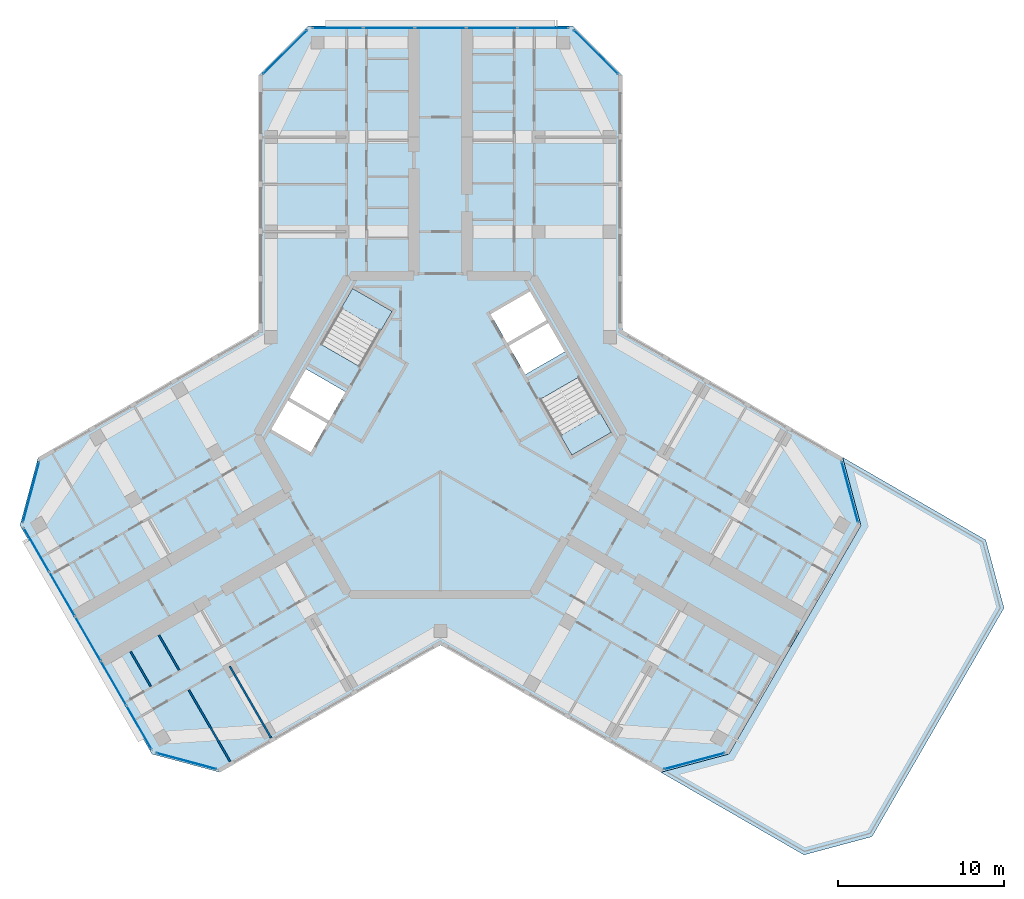
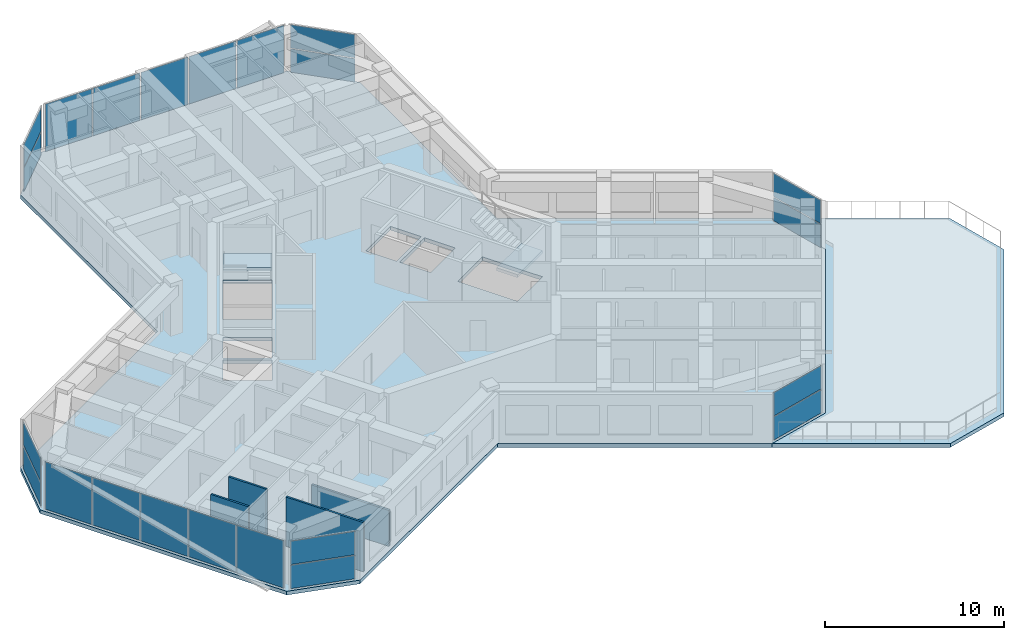
# One storey, part 6 of 14: 22 plates, 4 slabs, 4 walls, 10 elements without a shape of their own.
"""IFC4 building model written with IfcOpenShell, lengths in metres."""

from ifc_helpers import new_model, si_unit, direction, frame, frame_2d, origin, origin_2d, place, context, subcontext, project, spatial, polyline, rectangle, outline, extrude, material, layer, layer_set, type_object, element, aggregate, save


model = new_model("IFC4")

# Units and contexts
model_context = context("Model", 3, precision=1e-05, world=origin(), true_north=direction((0.0, 1.0)))
body_context = subcontext(model_context, "Body", "Model", "MODEL_VIEW")
ifc_project = project(units=[si_unit("LENGTHUNIT", "METRE"), si_unit("AREAUNIT", "SQUARE_METRE"), si_unit("VOLUMEUNIT", "CUBIC_METRE"), si_unit("PLANEANGLEUNIT", "RADIAN"), si_unit("MASSUNIT", "GRAM", prefix="KILO")], contexts=[model_context])

# Site, building, storey
site_placement = place(None, origin())
site = spatial("IfcSite", under=ifc_project, at=site_placement, CompositionType="ELEMENT")
building_placement = place(site_placement, origin())
building = spatial("IfcBuilding", under=site, at=building_placement, Name="Kosmar Iwan School Tower", CompositionType="ELEMENT")
storey_placement = place(building_placement, frame((0.0, 0.0, 267.39990234375)))
storey = spatial("IfcBuildingStorey", under=building, at=storey_placement, Name="L67", CompositionType="ELEMENT", Elevation=267.39990234375)

# Curtain wall, plates
ifc_material_1 = material(Name="Dark glass in black aluminium frame", Category="aluminium")
curtain_wall_type_1 = type_object("IfcCurtainWallType", Name="Chamfer curtain wall dark glass", PredefinedType="USERDEFINED", material=ifc_material_1)
curtain_wall_1_placement = place(storey_placement, origin())
curtain_wall_1 = element("IfcCurtainWall", 1, at=curtain_wall_1_placement, inside=storey, type_object=curtain_wall_type_1, Name="Curtain wall L67-F02", ObjectType="FACETED CURTAIN WALL", PredefinedType="USERDEFINED")
ifc_material_2 = material(Name="Dark glass", Category="glass")
ifc_layer_1 = layer(ifc_material_2, 0.028076171875)
ifc_layer_set_1 = layer_set([ifc_layer_1], Name="Dark glass panel 28")
plate_type = type_object("IfcPlateType", Name="Dark glass panel 28", PredefinedType="CURTAIN_PANEL", material=ifc_layer_set_1)
plate_1_placement = place(storey_placement, frame((15.291015625, -19.63818359375, 0.06005859375), z_axis=(0.0, 0.0, 1.0), x_axis=(0.965925875495, 0.258818861462, 0.0)))
plate_1 = element("IfcPlate", 2, at=plate_1_placement, type_object=plate_type, Name="CW2 panel 1.1", PredefinedType="CURTAIN_PANEL", context=body_context, shape_type="SweptSolid", body=[
    extrude(rectangle(XDim=3.718994140625, YDim=0.028076171875, at=origin_2d()), origin(), (0.0, 0.0, 1.0), 1.5849609375),
])
plate_2_placement = place(storey_placement, frame((15.291015625, -19.63818359375, 1.705078125), z_axis=(0.0, 0.0, 1.0), x_axis=(0.965925875495, 0.258818861462, 0.0)))
plate_2 = element("IfcPlate", 3, at=plate_2_placement, type_object=plate_type, Name="CW2 panel 1.2", PredefinedType="CURTAIN_PANEL", context=body_context, shape_type="SweptSolid", body=[
    extrude(rectangle(XDim=3.718994140625, YDim=0.028076171875, at=origin_2d()), origin(), (0.0, 0.0, 1.0), 1.5849609375),
])
aggregate(curtain_wall_1, [plate_1, plate_2])

curtain_wall_2_placement = place(storey_placement, origin())
curtain_wall_2 = element("IfcCurtainWall", 4, at=curtain_wall_2_placement, inside=storey, type_object=curtain_wall_type_1, Name="Curtain wall L67-F04", ObjectType="FACETED CURTAIN WALL", PredefinedType="USERDEFINED")
plate_3_placement = place(storey_placement, frame((24.65283203125, -3.42333984375, 0.06005859375), z_axis=(0.0, 0.0, 1.0), x_axis=(-0.258818861462, 0.965925875495, 0.0)))
plate_3 = element("IfcPlate", 5, at=plate_3_placement, type_object=plate_type, Name="CW2 panel 1.1", PredefinedType="CURTAIN_PANEL", context=body_context, shape_type="SweptSolid", body=[
    extrude(rectangle(XDim=3.718994140625, YDim=0.028076171875, at=origin_2d()), origin(), (0.0, 0.0, 1.0), 1.5849609375),
])
plate_4_placement = place(storey_placement, frame((24.65283203125, -3.42333984375, 1.705078125), z_axis=(0.0, 0.0, 1.0), x_axis=(-0.258818861462, 0.965925875495, 0.0)))
plate_4 = element("IfcPlate", 6, at=plate_4_placement, type_object=plate_type, Name="CW2 panel 1.2", PredefinedType="CURTAIN_PANEL", context=body_context, shape_type="SweptSolid", body=[
    extrude(rectangle(XDim=3.718994140625, YDim=0.028076171875, at=origin_2d()), origin(), (0.0, 0.0, 1.0), 1.5849609375),
])
aggregate(curtain_wall_2, [plate_3, plate_4])

curtain_wall_3_placement = place(storey_placement, origin())
curtain_wall_3 = element("IfcCurtainWall", 7, at=curtain_wall_3_placement, inside=storey, type_object=curtain_wall_type_1, Name="Curtain wall L67-F07", ObjectType="FACETED CURTAIN WALL", PredefinedType="USERDEFINED")
plate_5_placement = place(storey_placement, frame((9.361572265625, 23.0615234375, 0.06005859375), z_axis=(0.0, 0.0, 1.0), x_axis=(-0.707106781187, 0.707106781187, 0.0)))
plate_5 = element("IfcPlate", 8, at=plate_5_placement, type_object=plate_type, Name="CW2 panel 1.1", PredefinedType="CURTAIN_PANEL", context=body_context, shape_type="SweptSolid", body=[
    extrude(rectangle(XDim=3.718994140625, YDim=0.028076171875, at=origin_2d()), origin(), (0.0, 0.0, 1.0), 1.5849609375),
])
plate_6_placement = place(storey_placement, frame((9.361572265625, 23.0615234375, 1.705078125), z_axis=(0.0, 0.0, 1.0), x_axis=(-0.707106781187, 0.707106781187, 0.0)))
plate_6 = element("IfcPlate", 9, at=plate_6_placement, type_object=plate_type, Name="CW2 panel 1.2", PredefinedType="CURTAIN_PANEL", context=body_context, shape_type="SweptSolid", body=[
    extrude(rectangle(XDim=3.718994140625, YDim=0.028076171875, at=origin_2d()), origin(), (0.0, 0.0, 1.0), 1.5849609375),
])
aggregate(curtain_wall_3, [plate_5, plate_6])

ifc_material_3 = material(Name="Dark glass in black aluminium frame", Category="aluminium")
curtain_wall_type_2 = type_object("IfcCurtainWallType", Name="Tower curtain wall dark glass", PredefinedType="USERDEFINED", material=ifc_material_3)
curtain_wall_4_placement = place(storey_placement, origin())
curtain_wall_4 = element("IfcCurtainWall", 10, at=curtain_wall_4_placement, inside=storey, type_object=curtain_wall_type_2, Name="Curtain wall L67-F08", ObjectType="UNITISED CURTAIN WALL", PredefinedType="USERDEFINED")
plate_7_placement = place(storey_placement, frame((6.18359375, 24.52490234375, 0.06005859375), z_axis=(0.0, 0.0, 1.0), x_axis=(-1.0, 0.0, 0.0)))
plate_7 = element("IfcPlate", 11, at=plate_7_placement, type_object=plate_type, Name="CW1 panel 1.1", PredefinedType="CURTAIN_PANEL", context=body_context, shape_type="SweptSolid", body=[
    extrude(rectangle(XDim=3.00927734375, YDim=0.028076171875, at=origin_2d()), origin(), (0.0, 0.0, 1.0), 3.22998046875),
])
plate_8_placement = place(storey_placement, frame((3.099365234375, 24.52490234375, 0.06005859375), z_axis=(0.0, 0.0, 1.0), x_axis=(-1.0, 0.0, 0.0)))
plate_8 = element("IfcPlate", 12, at=plate_8_placement, type_object=plate_type, Name="CW1 panel 2.1", PredefinedType="CURTAIN_PANEL", context=body_context, shape_type="SweptSolid", body=[
    extrude(rectangle(XDim=3.039306640625, YDim=0.028076171875, at=origin_2d()), origin(), (0.0, 0.0, 1.0), 3.22998046875),
])
plate_9_placement = place(storey_placement, frame((0.0, 24.52490234375, 0.06005859375), z_axis=(0.0, 0.0, 1.0), x_axis=(-1.0, 0.0, 0.0)))
plate_9 = element("IfcPlate", 13, at=plate_9_placement, type_object=plate_type, Name="CW1 panel 3.1", PredefinedType="CURTAIN_PANEL", context=body_context, shape_type="SweptSolid", body=[
    extrude(rectangle(XDim=3.039306640625, YDim=0.028076171875, at=origin_2d()), origin(), (0.0, 0.0, 1.0), 3.22998046875),
])
plate_10_placement = place(storey_placement, frame((-3.099365234375, 24.52490234375, 0.06005859375), z_axis=(0.0, 0.0, 1.0), x_axis=(-1.0, 0.0, 0.0)))
plate_10 = element("IfcPlate", 14, at=plate_10_placement, type_object=plate_type, Name="CW1 panel 4.1", PredefinedType="CURTAIN_PANEL", context=body_context, shape_type="SweptSolid", body=[
    extrude(rectangle(XDim=3.039306640625, YDim=0.028076171875, at=origin_2d()), origin(), (0.0, 0.0, 1.0), 3.22998046875),
])
plate_11_placement = place(storey_placement, frame((-6.18359375, 24.52490234375, 0.06005859375), z_axis=(0.0, 0.0, 1.0), x_axis=(-1.0, 0.0, 0.0)))
plate_11 = element("IfcPlate", 15, at=plate_11_placement, type_object=plate_type, Name="CW1 panel 5.1", PredefinedType="CURTAIN_PANEL", context=body_context, shape_type="SweptSolid", body=[
    extrude(rectangle(XDim=3.00927734375, YDim=0.028076171875, at=origin_2d()), origin(), (0.0, 0.0, 1.0), 3.22998046875),
])
aggregate(curtain_wall_4, [plate_7, plate_8, plate_9, plate_10, plate_11])

curtain_wall_5_placement = place(storey_placement, origin())
curtain_wall_5 = element("IfcCurtainWall", 16, at=curtain_wall_5_placement, inside=storey, type_object=curtain_wall_type_1, Name="Curtain wall L67-F09", ObjectType="FACETED CURTAIN WALL", PredefinedType="USERDEFINED")
plate_12_placement = place(storey_placement, frame((-9.361572265625, 23.0615234375, 0.06005859375), z_axis=(0.0, 0.0, 1.0), x_axis=(-0.707106781187, -0.707106781187, 0.0)))
plate_12 = element("IfcPlate", 17, at=plate_12_placement, type_object=plate_type, Name="CW2 panel 1.1", PredefinedType="CURTAIN_PANEL", context=body_context, shape_type="SweptSolid", body=[
    extrude(rectangle(XDim=3.718994140625, YDim=0.028076171875, at=origin_2d()), origin(), (0.0, 0.0, 1.0), 1.5849609375),
])
plate_13_placement = place(storey_placement, frame((-9.361572265625, 23.0615234375, 1.705078125), z_axis=(0.0, 0.0, 1.0), x_axis=(-0.707106781187, -0.707106781187, 0.0)))
plate_13 = element("IfcPlate", 18, at=plate_13_placement, type_object=plate_type, Name="CW2 panel 1.2", PredefinedType="CURTAIN_PANEL", context=body_context, shape_type="SweptSolid", body=[
    extrude(rectangle(XDim=3.718994140625, YDim=0.028076171875, at=origin_2d()), origin(), (0.0, 0.0, 1.0), 1.5849609375),
])
aggregate(curtain_wall_5, [plate_12, plate_13])

curtain_wall_6_placement = place(storey_placement, origin())
curtain_wall_6 = element("IfcCurtainWall", 19, at=curtain_wall_6_placement, inside=storey, type_object=curtain_wall_type_1, Name="Curtain wall L67-F12", ObjectType="FACETED CURTAIN WALL", PredefinedType="USERDEFINED")
plate_14_placement = place(storey_placement, frame((-24.65283203125, -3.42333984375, 0.06005859375), z_axis=(0.0, 0.0, 1.0), x_axis=(-0.258818861462, -0.965925875495, 0.0)))
plate_14 = element("IfcPlate", 20, at=plate_14_placement, type_object=plate_type, Name="CW2 panel 1.1", PredefinedType="CURTAIN_PANEL", context=body_context, shape_type="SweptSolid", body=[
    extrude(rectangle(XDim=3.718994140625, YDim=0.028076171875, at=origin_2d()), origin(), (0.0, 0.0, 1.0), 1.5849609375),
])
plate_15_placement = place(storey_placement, frame((-24.65283203125, -3.42333984375, 1.705078125), z_axis=(0.0, 0.0, 1.0), x_axis=(-0.258818861462, -0.965925875495, 0.0)))
plate_15 = element("IfcPlate", 21, at=plate_15_placement, type_object=plate_type, Name="CW2 panel 1.2", PredefinedType="CURTAIN_PANEL", context=body_context, shape_type="SweptSolid", body=[
    extrude(rectangle(XDim=3.718994140625, YDim=0.028076171875, at=origin_2d()), origin(), (0.0, 0.0, 1.0), 1.5849609375),
])
aggregate(curtain_wall_6, [plate_14, plate_15])

curtain_wall_7_placement = place(storey_placement, origin())
curtain_wall_7 = element("IfcCurtainWall", 22, at=curtain_wall_7_placement, inside=storey, type_object=curtain_wall_type_2, Name="Curtain wall L67-F13", ObjectType="UNITISED CURTAIN WALL", PredefinedType="USERDEFINED")
plate_16_placement = place(storey_placement, frame((-24.3310546875, -6.907470703125, 0.06005859375), z_axis=(0.0, 0.0, 1.0), x_axis=(0.499999997325, -0.866025405329, 0.0)))
plate_16 = element("IfcPlate", 23, at=plate_16_placement, type_object=plate_type, Name="CW1 panel 1.1", PredefinedType="CURTAIN_PANEL", context=body_context, shape_type="SweptSolid", body=[
    extrude(rectangle(XDim=3.00927734375, YDim=0.028076171875, at=origin_2d()), origin(), (0.0, 0.0, 1.0), 3.22998046875),
])
plate_17_placement = place(storey_placement, frame((-22.788818359375, -9.578369140625, 0.06005859375), z_axis=(0.0, 0.0, 1.0), x_axis=(0.499999997325, -0.866025405329, 0.0)))
plate_17 = element("IfcPlate", 24, at=plate_17_placement, type_object=plate_type, Name="CW1 panel 2.1", PredefinedType="CURTAIN_PANEL", context=body_context, shape_type="SweptSolid", body=[
    extrude(rectangle(XDim=3.039306640625, YDim=0.028076171875, at=origin_2d()), origin(), (0.0, 0.0, 1.0), 3.22998046875),
])
plate_18_placement = place(storey_placement, frame((-21.2392578125, -12.262451171875, 0.06005859375), z_axis=(0.0, 0.0, 1.0), x_axis=(0.499999997325, -0.866025405329, 0.0)))
plate_18 = element("IfcPlate", 25, at=plate_18_placement, type_object=plate_type, Name="CW1 panel 3.1", PredefinedType="CURTAIN_PANEL", context=body_context, shape_type="SweptSolid", body=[
    extrude(rectangle(XDim=3.039306640625, YDim=0.028076171875, at=origin_2d()), origin(), (0.0, 0.0, 1.0), 3.22998046875),
])
plate_19_placement = place(storey_placement, frame((-19.689697265625, -14.946533203125, 0.06005859375), z_axis=(0.0, 0.0, 1.0), x_axis=(0.499999997325, -0.866025405329, 0.0)))
plate_19 = element("IfcPlate", 26, at=plate_19_placement, type_object=plate_type, Name="CW1 panel 4.1", PredefinedType="CURTAIN_PANEL", context=body_context, shape_type="SweptSolid", body=[
    extrude(rectangle(XDim=3.039306640625, YDim=0.028076171875, at=origin_2d()), origin(), (0.0, 0.0, 1.0), 3.22998046875),
])
plate_20_placement = place(storey_placement, frame((-18.1474609375, -17.61767578125, 0.06005859375), z_axis=(0.0, 0.0, 1.0), x_axis=(0.499999997325, -0.866025405329, 0.0)))
plate_20 = element("IfcPlate", 27, at=plate_20_placement, type_object=plate_type, Name="CW1 panel 5.1", PredefinedType="CURTAIN_PANEL", context=body_context, shape_type="SweptSolid", body=[
    extrude(rectangle(XDim=3.00927734375, YDim=0.028076171875, at=origin_2d()), origin(), (0.0, 0.0, 1.0), 3.22998046875),
])
aggregate(curtain_wall_7, [plate_16, plate_17, plate_18, plate_19, plate_20])

curtain_wall_8_placement = place(storey_placement, origin())
curtain_wall_8 = element("IfcCurtainWall", 28, at=curtain_wall_8_placement, inside=storey, type_object=curtain_wall_type_1, Name="Curtain wall L67-F14", ObjectType="FACETED CURTAIN WALL", PredefinedType="USERDEFINED")
plate_21_placement = place(storey_placement, frame((-15.291015625, -19.63818359375, 0.06005859375), z_axis=(0.0, 0.0, 1.0), x_axis=(0.965925875495, -0.258818861462, 0.0)))
plate_21 = element("IfcPlate", 29, at=plate_21_placement, type_object=plate_type, Name="CW2 panel 1.1", PredefinedType="CURTAIN_PANEL", context=body_context, shape_type="SweptSolid", body=[
    extrude(rectangle(XDim=3.718994140625, YDim=0.028076171875, at=origin_2d()), origin(), (0.0, 0.0, 1.0), 1.5849609375),
])
plate_22_placement = place(storey_placement, frame((-15.291015625, -19.63818359375, 1.705078125), z_axis=(0.0, 0.0, 1.0), x_axis=(0.965925875495, -0.258818861462, 0.0)))
plate_22 = element("IfcPlate", 30, at=plate_22_placement, type_object=plate_type, Name="CW2 panel 1.2", PredefinedType="CURTAIN_PANEL", context=body_context, shape_type="SweptSolid", body=[
    extrude(rectangle(XDim=3.718994140625, YDim=0.028076171875, at=origin_2d()), origin(), (0.0, 0.0, 1.0), 1.5849609375),
])
aggregate(curtain_wall_8, [plate_21, plate_22])

# Slab
ifc_material_4 = material(Name="Concrete C35/45", Category="concrete")
ifc_layer_2 = layer(ifc_material_4, 0.25)
ifc_layer_set_2 = layer_set([ifc_layer_2], Name="Floor slab 250")
slab_type_1 = type_object("IfcSlabType", Name="Floor slab 250", PredefinedType="FLOOR", material=ifc_layer_set_2)
slab_1_placement = place(storey_placement, frame((0.0, 0.0, -0.25)))
element("IfcSlab", 31, at=slab_1_placement, inside=storey, type_object=slab_type_1, Name="L67 floor slab", PredefinedType="FLOOR", context=body_context, shape_type="SweptSolid", body=[
    extrude(outline(polyline([(-13.2744140625, -20.307861328125), (0.0, -12.64404296875), (13.2744140625, -20.307861328125), (17.37255859375, -19.2099609375), (25.322509765625, -5.440185546875), (24.224365234375, -1.342041015625), (10.949951171875, 6.322021484375), (10.949951171875, 21.64990234375), (7.949951171875, 24.64990234375), (-7.949951171875, 24.64990234375), (-10.949951171875, 21.64990234375), (-10.949951171875, 6.322021484375), (-24.224365234375, -1.342041015625), (-25.322509765625, -5.440185546875), (-17.37255859375, -19.2099609375), (-13.2744140625, -20.307861328125)]), holes=[polyline([(7.91259765625, -1.205078125), (10.294189453125, 0.169921875), (8.3642578125, 3.5126953125), (5.982666015625, 2.1376953125), (7.91259765625, -1.205078125)]), polyline([(-2.91259765625, 7.455078125), (-5.294189453125, 8.830078125), (-7.22412109375, 5.4873046875), (-4.8427734375, 4.1123046875), (-2.91259765625, 7.455078125)]), polyline([(-5.712646484375, 2.60546875), (-8.09423828125, 3.98046875), (-9.09423828125, 2.248291015625), (-6.712646484375, 0.873291015625), (-5.712646484375, 2.60546875)]), polyline([(-6.812744140625, 0.7001953125), (-9.1943359375, 2.0751953125), (-10.1943359375, 0.343017578125), (-7.812744140625, -1.031982421875), (-6.812744140625, 0.7001953125)]), polyline([(5.112548828125, 3.64453125), (7.494140625, 5.01953125), (6.494140625, 6.751708984375), (4.112548828125, 5.376708984375), (5.112548828125, 3.64453125)]), polyline([(4.0126953125, 5.5498046875), (6.394287109375, 6.9248046875), (5.394287109375, 8.656982421875), (3.0126953125, 7.281982421875), (4.0126953125, 5.5498046875)])]), origin(), (0.0, 0.0, 1.0), 0.25),
])

# Stair, slab
ifc_material_5 = material(Name="Concrete C35/45", Category="concrete")
stair_type = type_object("IfcStairType", Name="Core stair 2750", PredefinedType="HALF_TURN_STAIR", material=ifc_material_5)
stair_1_placement = place(storey_placement, origin())
stair_1 = element("IfcStair", 32, at=stair_1_placement, inside=storey, type_object=stair_type, Name="Stair ST2 L67", PredefinedType="HALF_TURN_STAIR")
ifc_material_6 = material(Name="Concrete C35/45", Category="concrete")
ifc_layer_3 = layer(ifc_material_6, 0.199951171875)
ifc_layer_set_3 = layer_set([ifc_layer_3], Name="Stair landing 200")
slab_type_2 = type_object("IfcSlabType", Name="Stair landing 200", PredefinedType="LANDING", material=ifc_layer_set_3)
slab_2_placement = place(storey_placement, frame((0.0, 0.0, 1.60009765625)))
slab_2 = element("IfcSlab", 33, at=slab_2_placement, type_object=slab_type_2, Name="ST2 landing 1", PredefinedType="LANDING", context=body_context, shape_type="SweptSolid", body=[
    extrude(outline(polyline([(-2.91259765625, 7.455078125), (-5.294189453125, 8.830078125), (-5.97412109375, 7.65234375), (-3.5927734375, 6.27734375), (-2.91259765625, 7.455078125)])), origin(), (0.0, 0.0, 1.0), 0.199951171875),
])
aggregate(stair_1, [slab_2])

stair_2_placement = place(storey_placement, origin())
stair_2 = element("IfcStair", 34, at=stair_2_placement, inside=storey, type_object=stair_type, Name="Stair ST1 L67", PredefinedType="HALF_TURN_STAIR")
slab_3_placement = place(storey_placement, frame((0.0, 0.0, 1.60009765625)))
slab_3 = element("IfcSlab", 35, at=slab_3_placement, type_object=slab_type_2, Name="ST1 landing 1", PredefinedType="LANDING", context=body_context, shape_type="SweptSolid", body=[
    extrude(outline(polyline([(7.91259765625, -1.205078125), (10.294189453125, 0.169921875), (9.6142578125, 1.34765625), (7.232666015625, -0.02734375), (7.91259765625, -1.205078125)])), origin(), (0.0, 0.0, 1.0), 0.199951171875),
])
aggregate(stair_2, [slab_3])

# Slab
ifc_material_7 = material(Name="Concrete C35/45", Category="concrete")
ifc_layer_4 = layer(ifc_material_7, 0.25)
ifc_layer_set_4 = layer_set([ifc_layer_4], Name="Terrace slab 250")
slab_type_3 = type_object("IfcSlabType", Name="Terrace slab 250", PredefinedType="FLOOR", material=ifc_layer_set_4)
slab_4_placement = place(storey_placement, frame((0.0, 0.0, -0.25)))
element("IfcSlab", 36, at=slab_4_placement, inside=storey, type_object=slab_type_3, Name="Maintenance roof wing C", PredefinedType="FLOOR", context=body_context, shape_type="SweptSolid", body=[
    extrude(outline(polyline([(21.891357421875, -25.282958984375), (25.989501953125, -24.184814453125), (33.939453125, -10.4150390625), (32.84130859375, -6.317138671875), (5.47509765625, 9.48291015625), (24.224365234375, -1.342041015625), (25.322509765625, -5.440185546875), (17.37255859375, -19.2099609375), (13.2744140625, -20.307861328125), (21.891357421875, -25.282958984375)])), origin(), (0.0, 0.0, 1.0), 0.25),
])

# Walls
ifc_material_8 = material(Name="Gypsum board on steel studs", Category="steel")
ifc_layer_5 = layer(ifc_material_8, 0.1201171875)
ifc_layer_set_5 = layer_set([ifc_layer_5], Name="Dwelling partition 120")
wall_type = type_object("IfcWallType", Name="Dwelling partition 120", PredefinedType="PARTITIONING", material=ifc_layer_set_5)
wall_1_placement = place(storey_placement, frame((-12.690185546875, -13.919921875, 0.0), z_axis=(0.0, 0.0, 1.0), x_axis=(0.500011847778, -0.866018563358, 0.0)))
element("IfcWall", 37, at=wall_1_placement, inside=storey, type_object=wall_type, Name="Partition L67-BL1-X2", PredefinedType="PARTITIONING", context=body_context, shape_type="SweptSolid", body=[
    extrude(rectangle(XDim=4.990234375, YDim=0.1201171875, at=frame_2d((2.4951171875, 0.0))), origin(), (0.0, 0.0, 1.0), 2.4501953125),
])
wall_2_placement = place(storey_placement, frame((-15.158447265625, -15.344970703125, 0.0), z_axis=(0.0, 0.0, 1.0), x_axis=(0.500011847778, -0.866018563358, 0.0)))
element("IfcWall", 38, at=wall_2_placement, inside=storey, type_object=wall_type, Name="Partition L67-BL1-X3", PredefinedType="PARTITIONING", context=body_context, shape_type="SweptSolid", body=[
    extrude(rectangle(XDim=4.990234375, YDim=0.1201171875, at=frame_2d((2.4951171875, 0.0))), origin(), (0.0, 0.0, 1.0), 3.35009765625),
])
wall_3_placement = place(storey_placement, frame((-16.9580078125, -12.042236328125, 0.0), z_axis=(0.0, 0.0, 1.0), x_axis=(0.500034220881, -0.866005645448, 0.0)))
element("IfcWall", 39, at=wall_3_placement, inside=storey, type_object=wall_type, Name="Partition L67-BL1-Y5", PredefinedType="PARTITIONING", context=body_context, shape_type="SweptSolid", body=[
    extrude(rectangle(XDim=2.440185546875, YDim=0.1201171875, at=frame_2d((1.22021484375, 0.0))), origin(), (0.0, 0.0, 1.0), 3.35009765625),
])
wall_4_placement = place(storey_placement, frame((-18.665283203125, -13.028076171875, 0.0), z_axis=(0.0, 0.0, 1.0), x_axis=(0.500002508028, -0.866023955769, 0.0)))
element("IfcWall", 40, at=wall_4_placement, inside=storey, type_object=wall_type, Name="Partition L67-BL1-Y6", PredefinedType="PARTITIONING", context=body_context, shape_type="SweptSolid", body=[
    extrude(rectangle(XDim=2.43994140625, YDim=0.1201171875, at=frame_2d((1.219970703125, 0.0))), origin(), (0.0, 0.0, 1.0), 3.35009765625),
])

save(model, "model.ifc")
